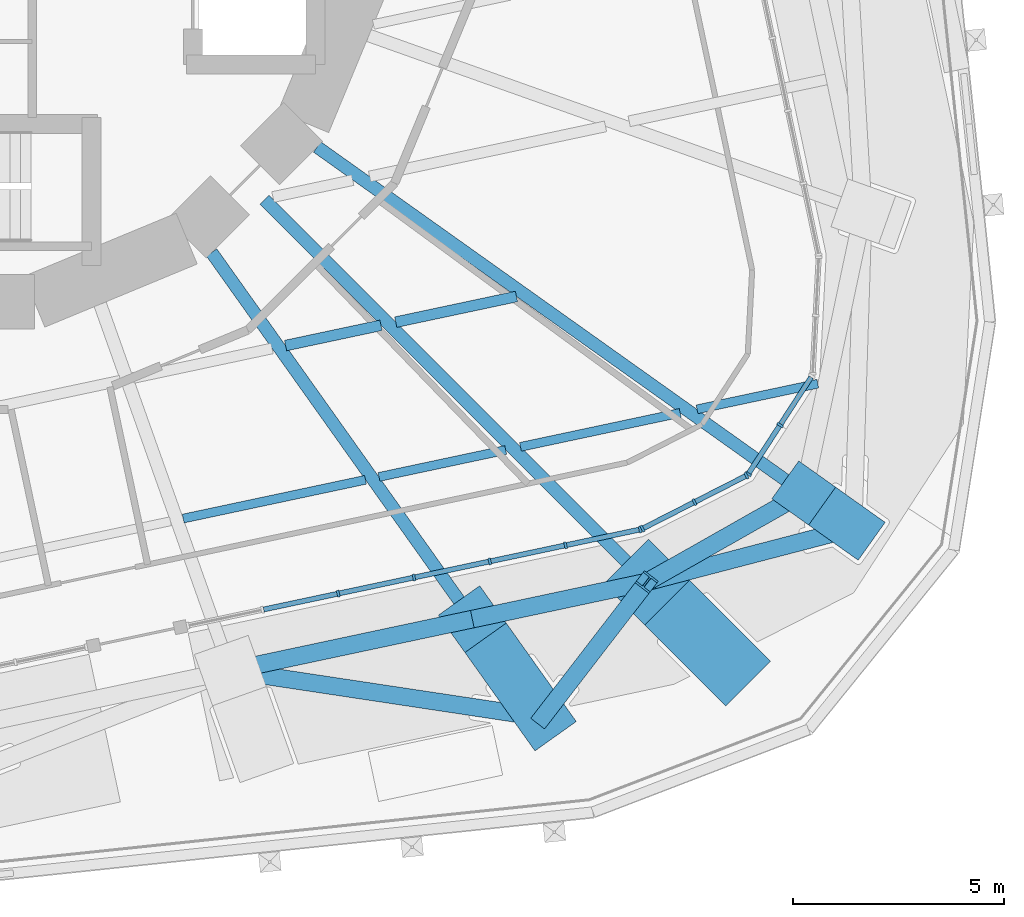
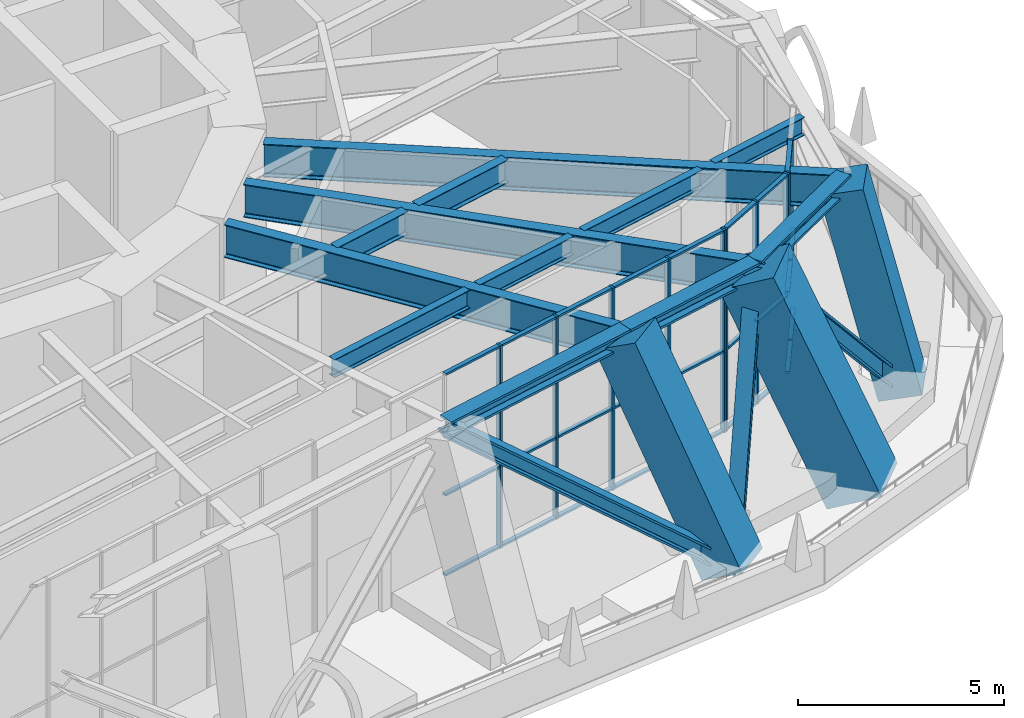
# One storey, part 5 of 23: 45 members, 9 beams, 3 elements without a shape of their own.
"""IFC4 building model written with IfcOpenShell, lengths in metres."""

from ifc_helpers import new_model, si_unit, direction, frame, origin, origin_2d, place, context, subcontext, project, spatial, rectangle, i_section, extrude, material, material_profile, profile_set, type_object, element, aggregate, save


model = new_model("IFC4")

# Units and contexts
model_context = context("Model", 3, precision=1e-05, world=origin(), true_north=direction((0.0, 1.0)))
body_context = subcontext(model_context, "Body", "Model", "MODEL_VIEW")
ifc_project = project(units=[si_unit("LENGTHUNIT", "METRE"), si_unit("AREAUNIT", "SQUARE_METRE"), si_unit("VOLUMEUNIT", "CUBIC_METRE"), si_unit("PLANEANGLEUNIT", "RADIAN"), si_unit("MASSUNIT", "GRAM", prefix="KILO")], contexts=[model_context])

# Site, building, storey
site_placement = place(None, origin())
site = spatial("IfcSite", under=ifc_project, at=site_placement, CompositionType="ELEMENT")
building_placement = place(site_placement, origin())
building = spatial("IfcBuilding", under=site, at=building_placement, Name="Nakasero Lantern House", CompositionType="ELEMENT")
storey_placement = place(building_placement, frame((0.0, 0.0, 95.14990234375)))
storey = spatial("IfcBuildingStorey", under=building, at=storey_placement, Name="L23", CompositionType="ELEMENT", Elevation=95.14990234375)

# Members
ifc_material_1 = material(Name="Steel S355", Category="steel")
ifc_material_profile_1 = material_profile(ifc_material_1, i_section(OverallWidth=0.41845703125, OverallDepth=0.45556640625, WebThickness=0.0419921875, FlangeThickness=0.0673828125, FilletRadius=0.01513671875, at=origin_2d()), Name="UC 356x406x551")
ifc_profile_set_1 = profile_set([ifc_material_profile_1], Name="Steel S355")
member_type_1 = type_object("IfcMemberType", Name="Belt truss chord UC 356x406x551", PredefinedType="CHORD", material=ifc_profile_set_1)
member_1_placement = place(storey_placement, frame((6.590087890625, -18.534912109375, 5.572265625), z_axis=(0.978149626621, 0.207902159541, 0.0), x_axis=(-0.207902159541, 0.978149626621, 0.0)))
element("IfcMember", 1, at=member_1_placement, inside=storey, type_object=member_type_1, Name="Belt truss top chord T2 B3-C22T", PredefinedType="CHORD", context=body_context, shape_type="SweptSolid", body=[
    extrude(i_section(OverallWidth=0.41845703125, OverallDepth=0.45556640625, WebThickness=0.0419921875, FlangeThickness=0.0673828125, FilletRadius=0.01513671875, at=origin_2d()), origin(), (0.0, 0.0, 1.0), 5.852783203125),
])
member_2_placement = place(storey_placement, frame((12.31494140625, -17.318115234375, 5.572265625), z_axis=(0.978138252658, 0.207955665195, 0.0), x_axis=(-0.207955665195, 0.978138252658, 0.0)))
element("IfcMember", 2, at=member_2_placement, inside=storey, type_object=member_type_1, Name="Belt truss top chord T2 B3-C23T", PredefinedType="CHORD", context=body_context, shape_type="SweptSolid", body=[
    extrude(i_section(OverallWidth=0.41845703125, OverallDepth=0.45556640625, WebThickness=0.0419921875, FlangeThickness=0.0673828125, FilletRadius=0.01513671875, at=origin_2d()), origin(), (0.0, 0.0, 1.0), 4.21826171875),
])
member_3_placement = place(storey_placement, frame((16.44091796875, -16.44091796875, 5.572265625), z_axis=(0.869814536213, 0.493378832737, 0.0), x_axis=(-0.493378832737, 0.869814536213, 0.0)))
element("IfcMember", 3, at=member_3_placement, inside=storey, type_object=member_type_1, Name="Belt truss top chord T2 B3-C24T", PredefinedType="CHORD", context=body_context, shape_type="SweptSolid", body=[
    extrude(i_section(OverallWidth=0.41845703125, OverallDepth=0.45556640625, WebThickness=0.0419921875, FlangeThickness=0.0673828125, FilletRadius=0.01513671875, at=origin_2d()), origin(), (0.0, 0.0, 1.0), 4.271484375),
])
ifc_material_2 = material(Name="Steel S355", Category="steel")
ifc_material_profile_2 = material_profile(ifc_material_2, i_section(OverallWidth=0.412109375, OverallDepth=0.4365234375, WebThickness=0.035888671875, FlangeThickness=0.05810546875, FilletRadius=0.01513671875, at=origin_2d()), Name="UC 356x406x467")
ifc_profile_set_2 = profile_set([ifc_material_profile_2], Name="Steel S355")
member_type_2 = type_object("IfcMemberType", Name="Belt truss diagonal UC 356x406x467", PredefinedType="BRACE", material=ifc_profile_set_2)
member_4_placement = place(storey_placement, frame((6.590087890625, -18.534912109375, 5.572265625), z_axis=(0.770726073188, -0.116141694432, -0.626492160305), x_axis=(0.149008934664, 0.988835849568, 0.0)))
element("IfcMember", 4, at=member_4_placement, inside=storey, type_object=member_type_2, Name="Belt truss diagonal T2-22", PredefinedType="BRACE", context=body_context, shape_type="SweptSolid", body=[
    extrude(i_section(OverallWidth=0.412109375, OverallDepth=0.4365234375, WebThickness=0.035888671875, FlangeThickness=0.05810546875, FilletRadius=0.01513671875, at=origin_2d()), origin(), (0.0, 0.0, 1.0), 9.5771484375),
])
member_5_placement = place(storey_placement, frame((13.971435546875, -19.647216796875, -0.427734375), z_axis=(0.341215380998, 0.44302339087, 0.8290369949), x_axis=(-0.792253817292, 0.610191682168, 0.0)))
element("IfcMember", 5, at=member_5_placement, inside=storey, type_object=member_type_2, Name="Belt truss diagonal T2-23", PredefinedType="BRACE", context=body_context, shape_type="SweptSolid", body=[
    extrude(i_section(OverallWidth=0.412109375, OverallDepth=0.4365234375, WebThickness=0.035888671875, FlangeThickness=0.05810546875, FilletRadius=0.01513671875, at=origin_2d()), origin(), (0.0, 0.0, 1.0), 7.2373046875),
])
member_6_placement = place(storey_placement, frame((16.44091796875, -16.44091796875, 5.572265625), z_axis=(0.623129628635, 0.162498709171, -0.765051393982), x_axis=(-0.252339246204, 0.967638829743, 0.0)))
element("IfcMember", 6, at=member_6_placement, inside=storey, type_object=member_type_2, Name="Belt truss diagonal T2-24", PredefinedType="BRACE", context=body_context, shape_type="SweptSolid", body=[
    extrude(i_section(OverallWidth=0.412109375, OverallDepth=0.4365234375, WebThickness=0.035888671875, FlangeThickness=0.05810546875, FilletRadius=0.01513671875, at=origin_2d()), origin(), (0.0, 0.0, 1.0), 7.842529296875),
])

# Beams
ifc_material_3 = material(Name="Steel S355", Category="steel")
ifc_material_profile_3 = material_profile(ifc_material_3, i_section(OverallWidth=0.2099609375, OverallDepth=0.53662109375, WebThickness=0.0107421875, FlangeThickness=0.017333984375, FilletRadius=0.0126953125, at=origin_2d()), Name="UB 533x210x101")
ifc_profile_set_3 = profile_set([ifc_material_profile_3], Name="Steel S355")
beam_type_1 = type_object("IfcBeamType", Name="Infill beam UB 533x210x101", PredefinedType="JOIST", material=ifc_profile_set_3)
beam_1_placement = place(storey_placement, frame((5.473388671875, -14.9384765625, 5.53173828125), z_axis=(0.978141400356, 0.207940859165, 0.0), x_axis=(-0.207940859165, 0.978141400356, 0.0)))
element("IfcBeam", 7, at=beam_1_placement, inside=storey, type_object=beam_type_1, Name="Infill beam L24 03.4", PredefinedType="JOIST", context=body_context, shape_type="SweptSolid", body=[
    extrude(i_section(OverallWidth=0.2099609375, OverallDepth=0.53662109375, WebThickness=0.0107421875, FlangeThickness=0.017333984375, FilletRadius=0.0126953125, at=origin_2d()), origin(), (0.0, 0.0, 1.0), 4.409912109375),
])
beam_2_placement = place(storey_placement, frame((10.106689453125, -13.95361328125, 5.53173828125), z_axis=(0.978143865523, 0.207929262829, 0.0), x_axis=(-0.207929262829, 0.978143865523, 0.0)))
element("IfcBeam", 8, at=beam_2_placement, inside=storey, type_object=beam_type_1, Name="Infill beam L24 03.5", PredefinedType="JOIST", context=body_context, shape_type="SweptSolid", body=[
    extrude(i_section(OverallWidth=0.2099609375, OverallDepth=0.53662109375, WebThickness=0.0107421875, FlangeThickness=0.017333984375, FilletRadius=0.0126953125, at=origin_2d()), origin(), (0.0, 0.0, 1.0), 3.064453125),
])
beam_3_placement = place(storey_placement, frame((13.4541015625, -13.2421875, 5.53173828125), z_axis=(0.978136843294, 0.207962294158, 0.0), x_axis=(-0.207962294158, 0.978136843294, 0.0)))
element("IfcBeam", 9, at=beam_3_placement, inside=storey, type_object=beam_type_1, Name="Infill beam L24 03.6", PredefinedType="JOIST", context=body_context, shape_type="SweptSolid", body=[
    extrude(i_section(OverallWidth=0.2099609375, OverallDepth=0.53662109375, WebThickness=0.0107421875, FlangeThickness=0.017333984375, FilletRadius=0.0126953125, at=origin_2d()), origin(), (0.0, 0.0, 1.0), 3.863525390625),
])
beam_4_placement = place(storey_placement, frame((17.6318359375, -12.35400390625, 5.53173828125), z_axis=(0.978160550121, 0.207850759411, 0.0), x_axis=(-0.207850759411, 0.978160550121, 0.0)))
element("IfcBeam", 10, at=beam_4_placement, inside=storey, type_object=beam_type_1, Name="Infill beam L24 03.7", PredefinedType="JOIST", context=body_context, shape_type="SweptSolid", body=[
    extrude(i_section(OverallWidth=0.2099609375, OverallDepth=0.53662109375, WebThickness=0.0107421875, FlangeThickness=0.017333984375, FilletRadius=0.0126953125, at=origin_2d()), origin(), (0.0, 0.0, 1.0), 2.921142578125),
])
ifc_material_4 = material(Name="Steel S355", Category="steel")
ifc_material_profile_4 = material_profile(ifc_material_4, i_section(OverallWidth=0.253662109375, OverallDepth=0.68359375, WebThickness=0.012451171875, FlangeThickness=0.01904296875, FilletRadius=0.01513671875, at=origin_2d()), Name="UB 686x254x140")
ifc_profile_set_4 = profile_set([ifc_material_profile_4], Name="Steel S355")
beam_type_2 = type_object("IfcBeamType", Name="Infill beam UB 686x254x140", PredefinedType="JOIST", material=ifc_profile_set_4)
beam_5_placement = place(storey_placement, frame((7.896240234375, -10.84521484375, 5.458251953125), z_axis=(0.978149438519, 0.207903044531, 0.0), x_axis=(-0.207903044531, 0.978149438519, 0.0)))
element("IfcBeam", 11, at=beam_5_placement, inside=storey, type_object=beam_type_2, Name="Infill beam L24 04.5", PredefinedType="JOIST", context=body_context, shape_type="SweptSolid", body=[
    extrude(i_section(OverallWidth=0.253662109375, OverallDepth=0.68359375, WebThickness=0.012451171875, FlangeThickness=0.01904296875, FilletRadius=0.01513671875, at=origin_2d()), origin(), (0.0, 0.0, 1.0), 2.3076171875),
])
beam_6_placement = place(storey_placement, frame((10.503173828125, -10.291015625, 5.458251953125), z_axis=(0.978159488398, 0.20785575589, 0.0), x_axis=(-0.20785575589, 0.978159488398, 0.0)))
element("IfcBeam", 12, at=beam_6_placement, inside=storey, type_object=beam_type_2, Name="Infill beam L24 04.6", PredefinedType="JOIST", context=body_context, shape_type="SweptSolid", body=[
    extrude(i_section(OverallWidth=0.253662109375, OverallDepth=0.68359375, WebThickness=0.012451171875, FlangeThickness=0.01904296875, FilletRadius=0.01513671875, at=origin_2d()), origin(), (0.0, 0.0, 1.0), 2.919921875),
])

# Curtain wall, members
ifc_material_5 = material(Name="Aluminium 6063-T6 and glass", Category="aluminium")
curtain_wall_type = type_object("IfcCurtainWallType", Name="Sky lounge glazing CW-3", PredefinedType="USERDEFINED", material=ifc_material_5)
curtain_wall_1_placement = place(storey_placement, origin())
curtain_wall_1 = element("IfcCurtainWall", 13, at=curtain_wall_1_placement, inside=storey, type_object=curtain_wall_type, Name="Curtain wall CW-3 L23", ObjectType="STICK CURTAIN WALL", PredefinedType="USERDEFINED")
ifc_material_6 = material(Name="Aluminium 6063-T6", Category="aluminium")
ifc_material_profile_5 = material_profile(ifc_material_6, rectangle(XDim=0.06005859375, YDim=0.159912109375, at=origin_2d()), Name="CW-3 mullion 60x160")
ifc_profile_set_5 = profile_set([ifc_material_profile_5], Name="Aluminium 6063-T6")
member_type_3 = type_object("IfcMemberType", Name="Mullion CW-3", PredefinedType="MULLION", material=ifc_profile_set_5)
member_7_placement = place(storey_placement, frame((9.1416015625, -16.714599609375, 0.0), z_axis=(0.0, 0.0, 1.0), x_axis=(0.978147600734, 0.207911690818, 0.0)))
member_7 = element("IfcMember", 14, at=member_7_placement, type_object=member_type_3, Name="CW-3 mullion 3", PredefinedType="MULLION", context=body_context, shape_type="SweptSolid", body=[
    extrude(rectangle(XDim=0.06005859375, YDim=0.159912109375, at=origin_2d()), origin(), (0.0, 0.0, 1.0), 6.0),
])
member_8_placement = place(storey_placement, frame((10.934814453125, -16.33349609375, 0.0), z_axis=(0.0, 0.0, 1.0), x_axis=(0.978147600734, 0.207911690818, 0.0)))
member_8 = element("IfcMember", 15, at=member_8_placement, type_object=member_type_3, Name="CW-3 mullion 4", PredefinedType="MULLION", context=body_context, shape_type="SweptSolid", body=[
    extrude(rectangle(XDim=0.06005859375, YDim=0.159912109375, at=origin_2d()), origin(), (0.0, 0.0, 1.0), 6.0),
])
member_9_placement = place(storey_placement, frame((12.72802734375, -15.9521484375, 0.0), z_axis=(0.0, 0.0, 1.0), x_axis=(0.978147600734, 0.207911690818, 0.0)))
member_9 = element("IfcMember", 16, at=member_9_placement, type_object=member_type_3, Name="CW-3 mullion 5", PredefinedType="MULLION", context=body_context, shape_type="SweptSolid", body=[
    extrude(rectangle(XDim=0.06005859375, YDim=0.159912109375, at=origin_2d()), origin(), (0.0, 0.0, 1.0), 6.0),
])
member_10_placement = place(storey_placement, frame((14.521484375, -15.571044921875, 0.0), z_axis=(0.0, 0.0, 1.0), x_axis=(0.978147600734, 0.207911690818, 0.0)))
member_10 = element("IfcMember", 17, at=member_10_placement, type_object=member_type_3, Name="CW-3 mullion 6", PredefinedType="MULLION", context=body_context, shape_type="SweptSolid", body=[
    extrude(rectangle(XDim=0.06005859375, YDim=0.159912109375, at=origin_2d()), origin(), (0.0, 0.0, 1.0), 6.0),
])
member_11_placement = place(storey_placement, frame((16.285400390625, -15.196044921875, 0.0), z_axis=(0.0, 0.0, 1.0), x_axis=(0.978147600734, 0.207911690818, 0.0)))
member_11 = element("IfcMember", 18, at=member_11_placement, type_object=member_type_3, Name="CW-3 mullion 7", PredefinedType="MULLION", context=body_context, shape_type="SweptSolid", body=[
    extrude(rectangle(XDim=0.06005859375, YDim=0.159912109375, at=origin_2d()), origin(), (0.0, 0.0, 1.0), 6.0),
])

curtain_wall_2_placement = place(storey_placement, origin())
curtain_wall_2 = element("IfcCurtainWall", 19, at=curtain_wall_2_placement, inside=storey, type_object=curtain_wall_type, Name="Curtain wall CW-3 L23", ObjectType="STICK CURTAIN WALL", PredefinedType="USERDEFINED")
member_12_placement = place(storey_placement, frame((16.34130859375, -15.17626953125, 0.0), z_axis=(0.0, 0.0, 1.0), x_axis=(0.891006524188, 0.45399049974, 0.0)))
member_12 = element("IfcMember", 20, at=member_12_placement, type_object=member_type_3, Name="CW-3 mullion 1", PredefinedType="MULLION", context=body_context, shape_type="SweptSolid", body=[
    extrude(rectangle(XDim=0.06005859375, YDim=0.159912109375, at=origin_2d()), origin(), (0.0, 0.0, 1.0), 6.0),
])
member_13_placement = place(storey_placement, frame((17.571533203125, -14.549560546875, 0.0), z_axis=(0.0, 0.0, 1.0), x_axis=(0.891006524188, 0.45399049974, 0.0)))
member_13 = element("IfcMember", 21, at=member_13_placement, type_object=member_type_3, Name="CW-3 mullion 2", PredefinedType="MULLION", context=body_context, shape_type="SweptSolid", body=[
    extrude(rectangle(XDim=0.06005859375, YDim=0.159912109375, at=origin_2d()), origin(), (0.0, 0.0, 1.0), 6.0),
])
member_14_placement = place(storey_placement, frame((18.801513671875, -13.9228515625, 0.0), z_axis=(0.0, 0.0, 1.0), x_axis=(0.891006524188, 0.45399049974, 0.0)))
member_14 = element("IfcMember", 22, at=member_14_placement, type_object=member_type_3, Name="CW-3 mullion 3", PredefinedType="MULLION", context=body_context, shape_type="SweptSolid", body=[
    extrude(rectangle(XDim=0.06005859375, YDim=0.159912109375, at=origin_2d()), origin(), (0.0, 0.0, 1.0), 6.0),
])

curtain_wall_3_placement = place(storey_placement, origin())
curtain_wall_3 = element("IfcCurtainWall", 23, at=curtain_wall_3_placement, inside=storey, type_object=curtain_wall_type, Name="Curtain wall CW-3 L23", ObjectType="STICK CURTAIN WALL", PredefinedType="USERDEFINED")
member_15_placement = place(storey_placement, frame((18.8447265625, -13.884033203125, 0.0), z_axis=(0.0, 0.0, 1.0), x_axis=(0.544639035015, 0.838670567945, 0.0)))
member_15 = element("IfcMember", 24, at=member_15_placement, type_object=member_type_3, Name="CW-3 mullion 1", PredefinedType="MULLION", context=body_context, shape_type="SweptSolid", body=[
    extrude(rectangle(XDim=0.06005859375, YDim=0.159912109375, at=origin_2d()), origin(), (0.0, 0.0, 1.0), 6.0),
])
member_16_placement = place(storey_placement, frame((19.5966796875, -12.72607421875, 0.0), z_axis=(0.0, 0.0, 1.0), x_axis=(0.544639035015, 0.838670567945, 0.0)))
member_16 = element("IfcMember", 25, at=member_16_placement, type_object=member_type_3, Name="CW-3 mullion 2", PredefinedType="MULLION", context=body_context, shape_type="SweptSolid", body=[
    extrude(rectangle(XDim=0.06005859375, YDim=0.159912109375, at=origin_2d()), origin(), (0.0, 0.0, 1.0), 6.0),
])

# Beams
ifc_material_7 = material(Name="Steel S355", Category="steel")
ifc_material_profile_6 = material_profile(ifc_material_7, i_section(OverallWidth=0.300048828125, OverallDepth=0.97998046875, WebThickness=0.0166015625, FlangeThickness=0.02587890625, FilletRadius=0.030029296875, at=origin_2d()), Name="UB 1016x305x249")
ifc_profile_set_6 = profile_set([ifc_material_profile_6], Name="Steel S355")
beam_type_3 = type_object("IfcBeamType", Name="Primary beam UB 1016x305x249, span 12 to 15 m", PredefinedType="BEAM", material=ifc_profile_set_6)
beam_7_placement = place(storey_placement, frame((20.15625, -14.33349609375, 5.31005859375), z_axis=(-0.814946074386, 0.57953679421, 0.0), x_axis=(-0.57953679421, -0.814946074386, 0.0)))
element("IfcBeam", 26, at=beam_7_placement, inside=storey, type_object=beam_type_3, Name="Primary beam L24 B3-C01T", PredefinedType="BEAM", context=body_context, shape_type="SweptSolid", body=[
    extrude(i_section(OverallWidth=0.300048828125, OverallDepth=0.97998046875, WebThickness=0.0166015625, FlangeThickness=0.02587890625, FilletRadius=0.030029296875, at=origin_2d()), origin(), (0.0, 0.0, 1.0), 14.127197265625),
])
beam_8_placement = place(storey_placement, frame((16.44091796875, -16.44091796875, 5.31005859375), z_axis=(-0.707106781187, 0.707106781187, 0.0), x_axis=(-0.707106781187, -0.707106781187, 0.0)))
element("IfcBeam", 27, at=beam_8_placement, inside=storey, type_object=beam_type_3, Name="Primary beam L24 B3-C24T", PredefinedType="BEAM", context=body_context, shape_type="SweptSolid", body=[
    extrude(i_section(OverallWidth=0.300048828125, OverallDepth=0.97998046875, WebThickness=0.0166015625, FlangeThickness=0.02587890625, FilletRadius=0.030029296875, at=origin_2d()), origin(), (0.0, 0.0, 1.0), 12.793212890625),
])
ifc_material_8 = material(Name="Steel S355", Category="steel")
ifc_material_profile_7 = material_profile(ifc_material_8, i_section(OverallWidth=0.300048828125, OverallDepth=0.97998046875, WebThickness=0.0166015625, FlangeThickness=0.02587890625, FilletRadius=0.030029296875, at=origin_2d()), Name="UB 1016x305x249")
ifc_profile_set_7 = profile_set([ifc_material_profile_7], Name="Steel S355")
beam_type_4 = type_object("IfcBeamType", Name="Primary beam UB 1016x305x249, span 9 to 12 m", PredefinedType="BEAM", material=ifc_profile_set_7)
beam_9_placement = place(storey_placement, frame((12.31494140625, -17.318115234375, 5.31005859375), z_axis=(-0.579520739774, 0.814957491022, 0.0), x_axis=(-0.814957491022, -0.579520739774, 0.0)))
element("IfcBeam", 28, at=beam_9_placement, inside=storey, type_object=beam_type_4, Name="Primary beam L24 B3-C23T", PredefinedType="BEAM", context=body_context, shape_type="SweptSolid", body=[
    extrude(i_section(OverallWidth=0.300048828125, OverallDepth=0.97998046875, WebThickness=0.0166015625, FlangeThickness=0.02587890625, FilletRadius=0.030029296875, at=origin_2d()), origin(), (0.0, 0.0, 1.0), 10.64453125),
])

# Members
ifc_material_9 = material(Name="Concrete C50/60", Category="concrete")
ifc_material_profile_8 = material_profile(ifc_material_9, rectangle(XDim=1.10009765625, YDim=1.10009765625, at=origin_2d()), Name="RC 1100x1100")
ifc_profile_set_8 = profile_set([ifc_material_profile_8], Name="Concrete C50/60")
member_type_4 = type_object("IfcMemberType", Name="Raking column RC 1100x1100 C50/60", PredefinedType="STRUT", material=ifc_profile_set_8)
member_17_placement = place(storey_placement, frame((21.327880859375, -15.16650390625, -0.427734375), z_axis=(-0.189897233812, 0.135013411496, 0.972476436376), x_axis=(-0.579453602692, -0.815005228405, 0.0)))
element("IfcMember", 29, at=member_17_placement, inside=storey, type_object=member_type_4, Name="Raking column B3-C01T L23", PredefinedType="STRUT", context=body_context, shape_type="SweptSolid", body=[
    extrude(rectangle(XDim=1.10009765625, YDim=1.10009765625, at=origin_2d()), origin(), (0.0, 0.0, 1.0), 6.169921875),
])
ifc_material_10 = material(Name="Concrete C50/60", Category="concrete")
ifc_material_profile_9 = material_profile(ifc_material_10, rectangle(XDim=1.199951171875, YDim=1.199951171875, at=origin_2d()), Name="RC 1200x1200")
ifc_profile_set_9 = profile_set([ifc_material_profile_9], Name="Concrete C50/60")
member_type_5 = type_object("IfcMemberType", Name="Raking column RC 1200x1200 C50/60", PredefinedType="STRUT", material=ifc_profile_set_9)
member_18_placement = place(storey_placement, frame((13.971435546875, -19.647216796875, -0.427734375), z_axis=(-0.249248561076, 0.350454130091, 0.902805104939), x_axis=(-0.814914979519, -0.579580517405, 0.0)))
element("IfcMember", 30, at=member_18_placement, inside=storey, type_object=member_type_5, Name="Raking column B3-C23T L23", PredefinedType="STRUT", context=body_context, shape_type="SweptSolid", body=[
    extrude(rectangle(XDim=1.199951171875, YDim=1.199951171875, at=origin_2d()), origin(), (0.0, 0.0, 1.0), 6.64599609375),
])
ifc_material_11 = material(Name="Concrete C50/60", Category="concrete")
ifc_material_profile_10 = material_profile(ifc_material_11, rectangle(XDim=1.5, YDim=1.5, at=origin_2d()), Name="RC 1500x1500")
ifc_profile_set_10 = profile_set([ifc_material_profile_10], Name="Concrete C50/60")
member_type_6 = type_object("IfcMemberType", Name="Raking column RC 1500x1500 C50/60", PredefinedType="STRUT", material=ifc_profile_set_10)
member_19_placement = place(storey_placement, frame((18.359375, -18.359375, -0.427734375), z_axis=(-0.291341705571, 0.291341705571, 0.911175077134), x_axis=(-0.707106781187, -0.707106781187, 0.0)))
element("IfcMember", 31, at=member_19_placement, inside=storey, type_object=member_type_6, Name="Raking column B3-C24T L23", PredefinedType="STRUT", context=body_context, shape_type="SweptSolid", body=[
    extrude(rectangle(XDim=1.5, YDim=1.5, at=origin_2d()), origin(), (0.0, 0.0, 1.0), 6.5849609375),
])

# Member
ifc_material_12 = material(Name="Aluminium 6063-T6", Category="aluminium")
ifc_material_profile_11 = material_profile(ifc_material_12, rectangle(XDim=0.06005859375, YDim=0.1201171875, at=origin_2d()), Name="CW-3 transom 60x120")
ifc_profile_set_11 = profile_set([ifc_material_profile_11], Name="Aluminium 6063-T6")
member_type_7 = type_object("IfcMemberType", Name="Transom CW-3", PredefinedType="USERDEFINED", material=ifc_profile_set_11)
member_20_placement = place(storey_placement, frame((7.377685546875, -17.089599609375, 0.030029296875), z_axis=(0.978153602266, 0.207883453824, 0.0), x_axis=(0.0, 0.0, 1.0)))
member_20 = element("IfcMember", 32, at=member_20_placement, type_object=member_type_7, Name="CW-3 transom 2.1", ObjectType="TRANSOM", PredefinedType="USERDEFINED", context=body_context, shape_type="SweptSolid", body=[
    extrude(rectangle(XDim=0.06005859375, YDim=0.1201171875, at=origin_2d()), origin(), (0.0, 0.0, 1.0), 1.7734375),
])

member_21_placement = place(storey_placement, frame((7.377685546875, -17.089599609375, 2.400146484375), z_axis=(0.978153602266, 0.207883453824, 0.0), x_axis=(0.0, 0.0, 1.0)))
member_21 = element("IfcMember", 33, at=member_21_placement, type_object=member_type_7, Name="CW-3 transom 2.2", ObjectType="TRANSOM", PredefinedType="USERDEFINED", context=body_context, shape_type="SweptSolid", body=[
    extrude(rectangle(XDim=0.06005859375, YDim=0.1201171875, at=origin_2d()), origin(), (0.0, 0.0, 1.0), 1.7734375),
])

member_22_placement = place(storey_placement, frame((7.377685546875, -17.089599609375, 5.97021484375), z_axis=(0.978153602266, 0.207883453824, 0.0), x_axis=(0.0, 0.0, 1.0)))
member_22 = element("IfcMember", 34, at=member_22_placement, type_object=member_type_7, Name="CW-3 transom 2.3", ObjectType="TRANSOM", PredefinedType="USERDEFINED", context=body_context, shape_type="SweptSolid", body=[
    extrude(rectangle(XDim=0.06005859375, YDim=0.1201171875, at=origin_2d()), origin(), (0.0, 0.0, 1.0), 1.7734375),
])

member_23_placement = place(storey_placement, frame((9.1708984375, -16.708251953125, 0.030029296875), z_axis=(0.978153602266, 0.207883453824, 0.0), x_axis=(0.0, 0.0, 1.0)))
member_23 = element("IfcMember", 35, at=member_23_placement, type_object=member_type_7, Name="CW-3 transom 3.1", ObjectType="TRANSOM", PredefinedType="USERDEFINED", context=body_context, shape_type="SweptSolid", body=[
    extrude(rectangle(XDim=0.06005859375, YDim=0.1201171875, at=origin_2d()), origin(), (0.0, 0.0, 1.0), 1.7734375),
])

member_24_placement = place(storey_placement, frame((9.1708984375, -16.708251953125, 2.400146484375), z_axis=(0.978153602266, 0.207883453824, 0.0), x_axis=(0.0, 0.0, 1.0)))
member_24 = element("IfcMember", 36, at=member_24_placement, type_object=member_type_7, Name="CW-3 transom 3.2", ObjectType="TRANSOM", PredefinedType="USERDEFINED", context=body_context, shape_type="SweptSolid", body=[
    extrude(rectangle(XDim=0.06005859375, YDim=0.1201171875, at=origin_2d()), origin(), (0.0, 0.0, 1.0), 1.7734375),
])

member_25_placement = place(storey_placement, frame((9.1708984375, -16.708251953125, 5.97021484375), z_axis=(0.978153602266, 0.207883453824, 0.0), x_axis=(0.0, 0.0, 1.0)))
member_25 = element("IfcMember", 37, at=member_25_placement, type_object=member_type_7, Name="CW-3 transom 3.3", ObjectType="TRANSOM", PredefinedType="USERDEFINED", context=body_context, shape_type="SweptSolid", body=[
    extrude(rectangle(XDim=0.06005859375, YDim=0.1201171875, at=origin_2d()), origin(), (0.0, 0.0, 1.0), 1.7734375),
])

member_26_placement = place(storey_placement, frame((10.964111328125, -16.3271484375, 0.030029296875), z_axis=(0.978153602266, 0.207883453824, 0.0), x_axis=(0.0, 0.0, 1.0)))
member_26 = element("IfcMember", 38, at=member_26_placement, type_object=member_type_7, Name="CW-3 transom 4.1", ObjectType="TRANSOM", PredefinedType="USERDEFINED", context=body_context, shape_type="SweptSolid", body=[
    extrude(rectangle(XDim=0.06005859375, YDim=0.1201171875, at=origin_2d()), origin(), (0.0, 0.0, 1.0), 1.7734375),
])

member_27_placement = place(storey_placement, frame((10.964111328125, -16.3271484375, 2.400146484375), z_axis=(0.978153602266, 0.207883453824, 0.0), x_axis=(0.0, 0.0, 1.0)))
member_27 = element("IfcMember", 39, at=member_27_placement, type_object=member_type_7, Name="CW-3 transom 4.2", ObjectType="TRANSOM", PredefinedType="USERDEFINED", context=body_context, shape_type="SweptSolid", body=[
    extrude(rectangle(XDim=0.06005859375, YDim=0.1201171875, at=origin_2d()), origin(), (0.0, 0.0, 1.0), 1.7734375),
])

member_28_placement = place(storey_placement, frame((10.964111328125, -16.3271484375, 5.97021484375), z_axis=(0.978153602266, 0.207883453824, 0.0), x_axis=(0.0, 0.0, 1.0)))
member_28 = element("IfcMember", 40, at=member_28_placement, type_object=member_type_7, Name="CW-3 transom 4.3", ObjectType="TRANSOM", PredefinedType="USERDEFINED", context=body_context, shape_type="SweptSolid", body=[
    extrude(rectangle(XDim=0.06005859375, YDim=0.1201171875, at=origin_2d()), origin(), (0.0, 0.0, 1.0), 1.7734375),
])

member_29_placement = place(storey_placement, frame((12.757568359375, -15.946044921875, 0.030029296875), z_axis=(0.978147651532, 0.207911451832, 0.0), x_axis=(0.0, 0.0, 1.0)))
member_29 = element("IfcMember", 41, at=member_29_placement, type_object=member_type_7, Name="CW-3 transom 5.1", ObjectType="TRANSOM", PredefinedType="USERDEFINED", context=body_context, shape_type="SweptSolid", body=[
    extrude(rectangle(XDim=0.06005859375, YDim=0.1201171875, at=origin_2d()), origin(), (0.0, 0.0, 1.0), 1.773193359375),
])

member_30_placement = place(storey_placement, frame((12.757568359375, -15.946044921875, 2.400146484375), z_axis=(0.978147651532, 0.207911451832, 0.0), x_axis=(0.0, 0.0, 1.0)))
member_30 = element("IfcMember", 42, at=member_30_placement, type_object=member_type_7, Name="CW-3 transom 5.2", ObjectType="TRANSOM", PredefinedType="USERDEFINED", context=body_context, shape_type="SweptSolid", body=[
    extrude(rectangle(XDim=0.06005859375, YDim=0.1201171875, at=origin_2d()), origin(), (0.0, 0.0, 1.0), 1.773193359375),
])

member_31_placement = place(storey_placement, frame((12.757568359375, -15.946044921875, 5.97021484375), z_axis=(0.978147651532, 0.207911451832, 0.0), x_axis=(0.0, 0.0, 1.0)))
member_31 = element("IfcMember", 43, at=member_31_placement, type_object=member_type_7, Name="CW-3 transom 5.3", ObjectType="TRANSOM", PredefinedType="USERDEFINED", context=body_context, shape_type="SweptSolid", body=[
    extrude(rectangle(XDim=0.06005859375, YDim=0.1201171875, at=origin_2d()), origin(), (0.0, 0.0, 1.0), 1.773193359375),
])

member_32_placement = place(storey_placement, frame((14.55078125, -15.56494140625, 0.030029296875), z_axis=(0.97813927235, 0.207950868925, 0.0), x_axis=(0.0, 0.0, 1.0)))
member_32 = element("IfcMember", 44, at=member_32_placement, type_object=member_type_7, Name="CW-3 transom 6.1", ObjectType="TRANSOM", PredefinedType="USERDEFINED", context=body_context, shape_type="SweptSolid", body=[
    extrude(rectangle(XDim=0.06005859375, YDim=0.1201171875, at=origin_2d()), origin(), (0.0, 0.0, 1.0), 1.743408203125),
])

member_33_placement = place(storey_placement, frame((14.55078125, -15.56494140625, 2.400146484375), z_axis=(0.97813927235, 0.207950868925, 0.0), x_axis=(0.0, 0.0, 1.0)))
member_33 = element("IfcMember", 45, at=member_33_placement, type_object=member_type_7, Name="CW-3 transom 6.2", ObjectType="TRANSOM", PredefinedType="USERDEFINED", context=body_context, shape_type="SweptSolid", body=[
    extrude(rectangle(XDim=0.06005859375, YDim=0.1201171875, at=origin_2d()), origin(), (0.0, 0.0, 1.0), 1.743408203125),
])

member_34_placement = place(storey_placement, frame((14.55078125, -15.56494140625, 5.97021484375), z_axis=(0.97813927235, 0.207950868925, 0.0), x_axis=(0.0, 0.0, 1.0)))
member_34 = element("IfcMember", 46, at=member_34_placement, type_object=member_type_7, Name="CW-3 transom 6.3", ObjectType="TRANSOM", PredefinedType="USERDEFINED", context=body_context, shape_type="SweptSolid", body=[
    extrude(rectangle(XDim=0.06005859375, YDim=0.1201171875, at=origin_2d()), origin(), (0.0, 0.0, 1.0), 1.743408203125),
])

aggregate(curtain_wall_1, [member_7, member_8, member_9, member_10, member_11, member_20, member_21, member_22, member_23, member_24, member_25, member_26, member_27, member_28, member_29, member_30, member_31, member_32, member_33, member_34])

member_35_placement = place(storey_placement, frame((16.3681640625, -15.16259765625, 0.030029296875), z_axis=(0.891036674728, 0.453931321116, 0.0), x_axis=(0.0, 0.0, 1.0)))
member_35 = element("IfcMember", 47, at=member_35_placement, type_object=member_type_7, Name="CW-3 transom 1.1", ObjectType="TRANSOM", PredefinedType="USERDEFINED", context=body_context, shape_type="SweptSolid", body=[
    extrude(rectangle(XDim=0.06005859375, YDim=0.1201171875, at=origin_2d()), origin(), (0.0, 0.0, 1.0), 1.3203125),
])

member_36_placement = place(storey_placement, frame((16.3681640625, -15.16259765625, 2.400146484375), z_axis=(0.891036674728, 0.453931321116, 0.0), x_axis=(0.0, 0.0, 1.0)))
member_36 = element("IfcMember", 48, at=member_36_placement, type_object=member_type_7, Name="CW-3 transom 1.2", ObjectType="TRANSOM", PredefinedType="USERDEFINED", context=body_context, shape_type="SweptSolid", body=[
    extrude(rectangle(XDim=0.06005859375, YDim=0.1201171875, at=origin_2d()), origin(), (0.0, 0.0, 1.0), 1.3203125),
])

member_37_placement = place(storey_placement, frame((16.3681640625, -15.16259765625, 5.97021484375), z_axis=(0.891036674728, 0.453931321116, 0.0), x_axis=(0.0, 0.0, 1.0)))
member_37 = element("IfcMember", 49, at=member_37_placement, type_object=member_type_7, Name="CW-3 transom 1.3", ObjectType="TRANSOM", PredefinedType="USERDEFINED", context=body_context, shape_type="SweptSolid", body=[
    extrude(rectangle(XDim=0.06005859375, YDim=0.1201171875, at=origin_2d()), origin(), (0.0, 0.0, 1.0), 1.3203125),
])

member_38_placement = place(storey_placement, frame((17.59814453125, -14.535888671875, 0.030029296875), z_axis=(0.89099999371, 0.454003316297, 0.0), x_axis=(0.0, 0.0, 1.0)))
member_38 = element("IfcMember", 50, at=member_38_placement, type_object=member_type_7, Name="CW-3 transom 2.1", ObjectType="TRANSOM", PredefinedType="USERDEFINED", context=body_context, shape_type="SweptSolid", body=[
    extrude(rectangle(XDim=0.06005859375, YDim=0.1201171875, at=origin_2d()), origin(), (0.0, 0.0, 1.0), 1.32080078125),
])

member_39_placement = place(storey_placement, frame((17.59814453125, -14.535888671875, 2.400146484375), z_axis=(0.89099999371, 0.454003316297, 0.0), x_axis=(0.0, 0.0, 1.0)))
member_39 = element("IfcMember", 51, at=member_39_placement, type_object=member_type_7, Name="CW-3 transom 2.2", ObjectType="TRANSOM", PredefinedType="USERDEFINED", context=body_context, shape_type="SweptSolid", body=[
    extrude(rectangle(XDim=0.06005859375, YDim=0.1201171875, at=origin_2d()), origin(), (0.0, 0.0, 1.0), 1.32080078125),
])

member_40_placement = place(storey_placement, frame((17.59814453125, -14.535888671875, 5.97021484375), z_axis=(0.89099999371, 0.454003316297, 0.0), x_axis=(0.0, 0.0, 1.0)))
member_40 = element("IfcMember", 52, at=member_40_placement, type_object=member_type_7, Name="CW-3 transom 2.3", ObjectType="TRANSOM", PredefinedType="USERDEFINED", context=body_context, shape_type="SweptSolid", body=[
    extrude(rectangle(XDim=0.06005859375, YDim=0.1201171875, at=origin_2d()), origin(), (0.0, 0.0, 1.0), 1.32080078125),
])

aggregate(curtain_wall_2, [member_12, member_13, member_14, member_35, member_36, member_37, member_38, member_39, member_40])

member_41_placement = place(storey_placement, frame((18.861083984375, -13.85888671875, 0.030029296875), z_axis=(0.544591933163, 0.838701154365, 0.0), x_axis=(0.0, 0.0, 1.0)))
member_41 = element("IfcMember", 53, at=member_41_placement, type_object=member_type_7, Name="CW-3 transom 1.1", ObjectType="TRANSOM", PredefinedType="USERDEFINED", context=body_context, shape_type="SweptSolid", body=[
    extrude(rectangle(XDim=0.06005859375, YDim=0.1201171875, at=origin_2d()), origin(), (0.0, 0.0, 1.0), 1.32080078125),
])

member_42_placement = place(storey_placement, frame((18.861083984375, -13.85888671875, 2.400146484375), z_axis=(0.544591933163, 0.838701154365, 0.0), x_axis=(0.0, 0.0, 1.0)))
member_42 = element("IfcMember", 54, at=member_42_placement, type_object=member_type_7, Name="CW-3 transom 1.2", ObjectType="TRANSOM", PredefinedType="USERDEFINED", context=body_context, shape_type="SweptSolid", body=[
    extrude(rectangle(XDim=0.06005859375, YDim=0.1201171875, at=origin_2d()), origin(), (0.0, 0.0, 1.0), 1.32080078125),
])

member_43_placement = place(storey_placement, frame((18.861083984375, -13.85888671875, 5.97021484375), z_axis=(0.544591933163, 0.838701154365, 0.0), x_axis=(0.0, 0.0, 1.0)))
member_43 = element("IfcMember", 55, at=member_43_placement, type_object=member_type_7, Name="CW-3 transom 1.3", ObjectType="TRANSOM", PredefinedType="USERDEFINED", context=body_context, shape_type="SweptSolid", body=[
    extrude(rectangle(XDim=0.06005859375, YDim=0.1201171875, at=origin_2d()), origin(), (0.0, 0.0, 1.0), 1.32080078125),
])

member_44_placement = place(storey_placement, frame((19.61279296875, -12.700927734375, 0.030029296875), z_axis=(0.544676377406, 0.838646316331, 0.0), x_axis=(0.0, 0.0, 1.0)))
member_44 = element("IfcMember", 56, at=member_44_placement, type_object=member_type_7, Name="CW-3 transom 2.1", ObjectType="TRANSOM", PredefinedType="USERDEFINED", context=body_context, shape_type="SweptSolid", body=[
    extrude(rectangle(XDim=0.06005859375, YDim=0.1201171875, at=origin_2d()), origin(), (0.0, 0.0, 1.0), 1.320556640625),
])

member_45_placement = place(storey_placement, frame((19.61279296875, -12.700927734375, 2.400146484375), z_axis=(0.544676377406, 0.838646316331, 0.0), x_axis=(0.0, 0.0, 1.0)))
member_45 = element("IfcMember", 57, at=member_45_placement, type_object=member_type_7, Name="CW-3 transom 2.2", ObjectType="TRANSOM", PredefinedType="USERDEFINED", context=body_context, shape_type="SweptSolid", body=[
    extrude(rectangle(XDim=0.06005859375, YDim=0.1201171875, at=origin_2d()), origin(), (0.0, 0.0, 1.0), 1.320556640625),
])

aggregate(curtain_wall_3, [member_15, member_16, member_41, member_42, member_43, member_44, member_45])

save(model, "model.ifc")
